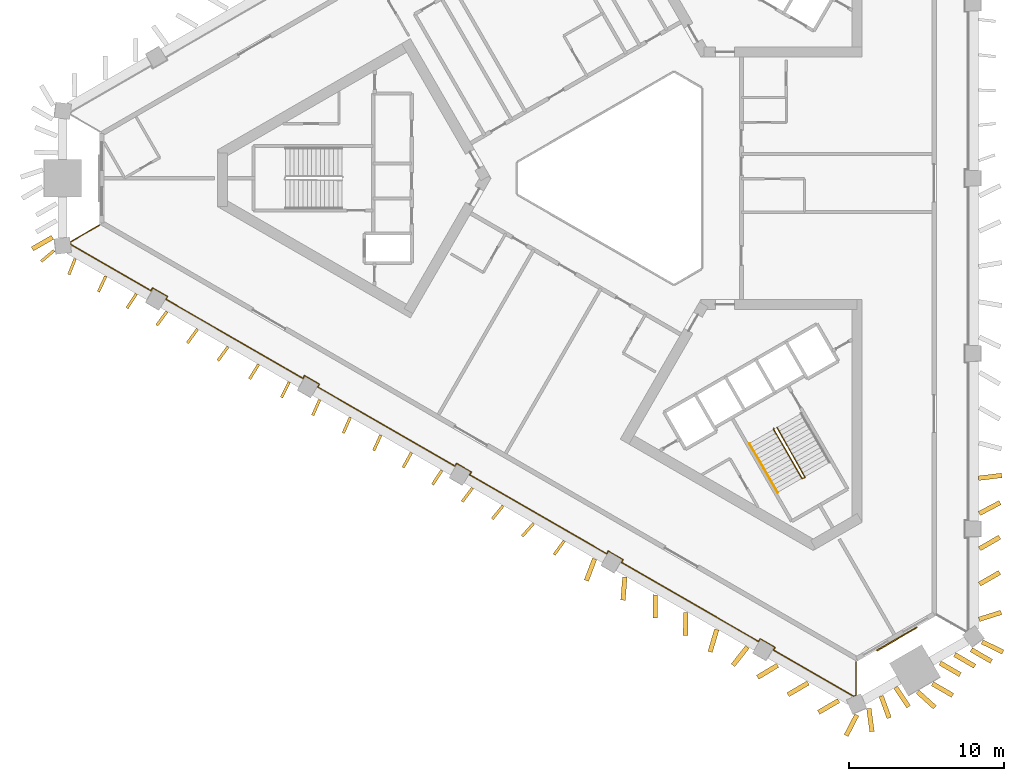
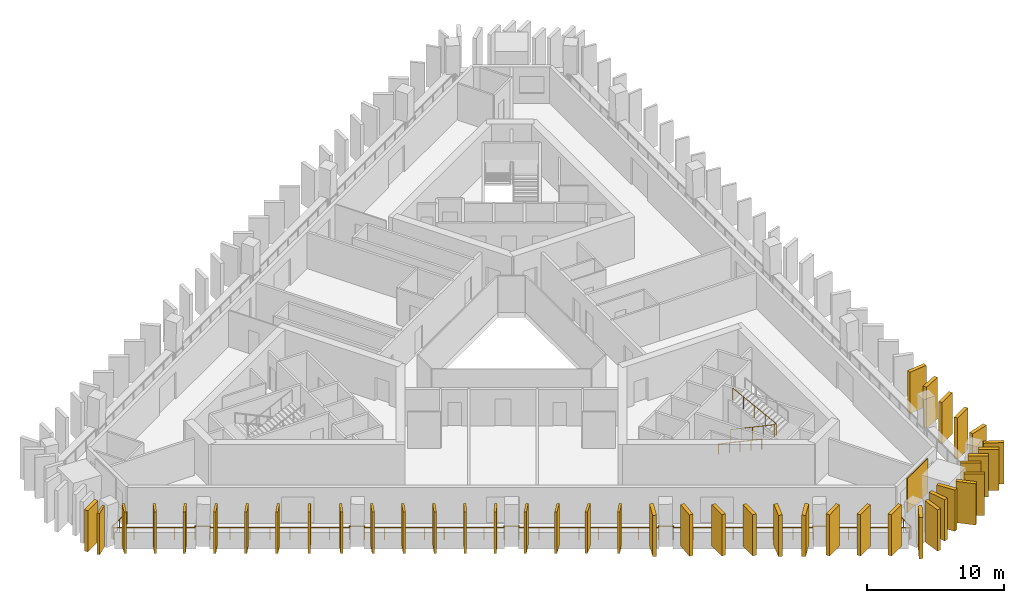
# One storey, part 7 of 9: 43 shading devices, 3 railings, 1 covering.
"""IFC4 building model written with IfcOpenShell, lengths in metres."""

from ifc_helpers import new_model, si_unit, direction, frame, frame_2d, origin, origin_2d, place, context, subcontext, project, spatial, rectangle, circle, extrude, material, layer, layer_set, type_object, element, save


model = new_model("IFC4")

# Units and contexts
model_context = context("Model", 3, precision=1e-05, world=origin(), true_north=direction((0.0, 1.0)))
body_context = subcontext(model_context, "Body", "Model", "MODEL_VIEW")
ifc_project = project(units=[si_unit("LENGTHUNIT", "METRE"), si_unit("AREAUNIT", "SQUARE_METRE"), si_unit("VOLUMEUNIT", "CUBIC_METRE"), si_unit("PLANEANGLEUNIT", "RADIAN"), si_unit("MASSUNIT", "GRAM", prefix="KILO")], contexts=[model_context])

# Site, building, storey
site_placement = place(None, origin())
site = spatial("IfcSite", under=ifc_project, at=site_placement, CompositionType="ELEMENT")
building_placement = place(site_placement, origin())
building = spatial("IfcBuilding", under=site, at=building_placement, Name="Jabali Bay Hotel Tower and Convention Centre", CompositionType="ELEMENT")
storey_placement = place(building_placement, frame((0.0, 0.0, 129.0)))
storey = spatial("IfcBuildingStorey", under=building, at=storey_placement, Name="L31", CompositionType="ELEMENT", Elevation=129.0)

# Railing
ifc_material_1 = material(Name="Glass", Category="glass")
railing_type_1 = type_object("IfcRailingType", Name="Loggia glass guard 1100", PredefinedType="BALUSTRADE", material=ifc_material_1)
railing_1_placement = place(storey_placement, frame((89.482177734375, 48.8896484375, 0.0)))
element("IfcRailing", 1, at=railing_1_placement, inside=storey, type_object=railing_type_1, Name="Loggia glass guard L31", PredefinedType="BALUSTRADE", context=body_context, shape_type="SweptSolid", body=[
    extrude(circle(Radius=0.02490234375, at=origin_2d()), frame((0.0, 0.0, 1.0751953125), z_axis=(0.0, -1.0, 0.0), x_axis=(0.991444861374, 0.0, 0.13052619222)), (0.0, 0.0, 1.0), 2.165283203125),
    extrude(circle(Radius=0.02490234375, at=origin_2d()), frame((0.0, -2.165283203125, 1.0751953125), z_axis=(-0.918657809016, -0.395054211386, 0.0), x_axis=(0.391674467843, -0.91079856411, 0.13052619222)), (0.0, 0.0, 1.0), 0.15576171875),
    extrude(circle(Radius=0.02490234375, at=origin_2d()), frame((-0.14306640625, -2.226806640625, 1.0751953125), z_axis=(-0.866016638956, 0.50001518082, 0.0), x_axis=(-0.495737481633, -0.858607746558, 0.13052619222)), (0.0, 0.0, 1.0), 5.968017578125),
    extrude(circle(Radius=0.02490234375, at=origin_2d()), frame((-5.3115234375, 0.75732421875, 1.0751953125), z_axis=(0.499687197852, 0.866205924883, 0.0), x_axis=(-0.858795413117, 0.495412304605, 0.13052619222)), (0.0, 0.0, 1.0), 0.199951171875),
    extrude(circle(Radius=0.02490234375, at=origin_2d()), frame((-5.211669921875, 0.930419921875, 1.0751953125), z_axis=(-0.866008176907, 0.50002983664, 0.0), x_axis=(-0.495752012071, -0.858599356902, 0.13052619222)), (0.0, 0.0, 1.0), 1.10009765625),
    extrude(circle(Radius=0.02490234375, at=origin_2d()), frame((-6.164306640625, 1.48046875, 1.0751953125), z_axis=(-0.499158860599, -0.866510491504, 0.0), x_axis=(0.859097374128, -0.49488848735, 0.13052619222)), (0.0, 0.0, 1.0), 0.199951171875),
    extrude(circle(Radius=0.02490234375, at=origin_2d()), frame((-6.26416015625, 1.30712890625, 1.0751953125), z_axis=(-0.866018717003, 0.500011581666, 0.0), x_axis=(-0.49573391327, -0.858609806827, 0.13052619222)), (0.0, 0.0, 1.0), 10.184326171875),
    extrude(circle(Radius=0.02490234375, at=origin_2d()), frame((-15.083984375, 6.3994140625, 1.0751953125), z_axis=(0.499687197852, 0.866205924883, 0.0), x_axis=(-0.858795413117, 0.495412304605, 0.13052619222)), (0.0, 0.0, 1.0), 0.199951171875),
    extrude(circle(Radius=0.02490234375, at=origin_2d()), frame((-14.984130859375, 6.572509765625, 1.0751953125), z_axis=(-0.866008176907, 0.50002983664, 0.0), x_axis=(-0.495752012071, -0.858599356902, 0.13052619222)), (0.0, 0.0, 1.0), 1.10009765625),
    extrude(circle(Radius=0.02490234375, at=origin_2d()), frame((-15.936767578125, 7.12255859375, 1.0751953125), z_axis=(-0.499687197852, -0.866205924883, 0.0), x_axis=(0.858795413117, -0.495412304605, 0.13052619222)), (0.0, 0.0, 1.0), 0.199951171875),
    extrude(circle(Radius=0.02490234375, at=origin_2d()), frame((-16.03662109375, 6.949462890625, 1.0751953125), z_axis=(-0.866029097357, 0.49999360249, 0.0), x_axis=(-0.495716087909, -0.858620098375, 0.13052619222)), (0.0, 0.0, 1.0), 10.184326171875),
    extrude(circle(Radius=0.02490234375, at=origin_2d()), frame((-24.8564453125, 12.04150390625, 1.0751953125), z_axis=(0.499687197852, 0.866205924883, 0.0), x_axis=(-0.858795413117, 0.495412304605, 0.13052619222)), (0.0, 0.0, 1.0), 0.199951171875),
    extrude(circle(Radius=0.02490234375, at=origin_2d()), frame((-24.756591796875, 12.214599609375, 1.0751953125), z_axis=(-0.866008176907, 0.50002983664, 0.0), x_axis=(-0.495752012071, -0.858599356902, 0.13052619222)), (0.0, 0.0, 1.0), 1.10009765625),
    extrude(circle(Radius=0.02490234375, at=origin_2d()), frame((-25.709228515625, 12.7646484375, 1.0751953125), z_axis=(-0.499687197852, -0.866205924883, 0.0), x_axis=(0.858795413117, -0.495412304605, 0.13052619222)), (0.0, 0.0, 1.0), 0.199951171875),
    extrude(circle(Radius=0.02490234375, at=origin_2d()), frame((-25.80908203125, 12.591552734375, 1.0751953125), z_axis=(-0.866029097357, 0.49999360249, 0.0), x_axis=(-0.495716087909, -0.858620098375, 0.13052619222)), (0.0, 0.0, 1.0), 10.184326171875),
    extrude(circle(Radius=0.02490234375, at=origin_2d()), frame((-34.62890625, 17.68359375, 1.0751953125), z_axis=(0.499687197852, 0.866205924883, 0.0), x_axis=(-0.858795413117, 0.495412304605, 0.13052619222)), (0.0, 0.0, 1.0), 0.199951171875),
    extrude(circle(Radius=0.02490234375, at=origin_2d()), frame((-34.529052734375, 17.856689453125, 1.0751953125), z_axis=(-0.866008176907, 0.50002983664, 0.0), x_axis=(-0.495752012071, -0.858599356902, 0.13052619222)), (0.0, 0.0, 1.0), 1.10009765625),
    extrude(circle(Radius=0.02490234375, at=origin_2d()), frame((-35.481689453125, 18.40673828125, 1.0751953125), z_axis=(-0.499687197852, -0.866205924883, 0.0), x_axis=(0.858795413117, -0.495412304605, 0.13052619222)), (0.0, 0.0, 1.0), 0.199951171875),
    extrude(circle(Radius=0.02490234375, at=origin_2d()), frame((-35.58154296875, 18.233642578125, 1.0751953125), z_axis=(-0.866029097357, 0.49999360249, 0.0), x_axis=(-0.495716087909, -0.858620098375, 0.13052619222)), (0.0, 0.0, 1.0), 10.184326171875),
    extrude(circle(Radius=0.02490234375, at=origin_2d()), frame((-44.4013671875, 23.32568359375, 1.0751953125), z_axis=(0.499158860599, 0.866510491504, 0.0), x_axis=(-0.859097374128, 0.49488848735, 0.13052619222)), (0.0, 0.0, 1.0), 0.199951171875),
    extrude(circle(Radius=0.02490234375, at=origin_2d()), frame((-44.301513671875, 23.4990234375, 1.0751953125), z_axis=(-0.866104278045, 0.499863360881, 0.0), x_axis=(-0.495586960535, -0.858694635882, 0.13052619222)), (0.0, 0.0, 1.0), 1.099853515625),
    extrude(circle(Radius=0.02490234375, at=origin_2d()), frame((-45.254150390625, 24.048828125, 1.0751953125), z_axis=(-0.499687197852, -0.866205924883, 0.0), x_axis=(0.858795413117, -0.495412304605, 0.13052619222)), (0.0, 0.0, 1.0), 0.199951171875),
    extrude(circle(Radius=0.02490234375, at=origin_2d()), frame((-45.35400390625, 23.875732421875, 1.0751953125), z_axis=(-0.8660343527, 0.499984499703, 0.0), x_axis=(-0.495707062997, -0.858625308758, 0.13052619222)), (0.0, 0.0, 1.0), 5.968017578125),
    extrude(circle(Radius=0.02490234375, at=origin_2d()), frame((-50.5224609375, 26.859619140625, 1.0751953125), z_axis=(-0.117477392411, 0.993075557182, 0.0), x_axis=(-0.984579658124, -0.116472357034, 0.13052619222)), (0.0, 0.0, 1.0), 0.15576171875),
    extrude(circle(Radius=0.02490234375, at=origin_2d()), frame((-50.540771484375, 27.014404296875, 1.0751953125), z_axis=(0.866007213464, 0.500031505235, 0.0), x_axis=(-0.495753666391, 0.858598401702, 0.13052619222)), (0.0, 0.0, 1.0), 2.165283203125),
    extrude(circle(Radius=0.02001953125, at=origin_2d()), origin(), (0.0, 0.0, 1.0), 1.050048828125),
    extrude(circle(Radius=0.02001953125, at=origin_2d()), frame((0.0, -1.08251953125, 0.0)), (0.0, 0.0, 1.0), 1.050048828125),
    extrude(circle(Radius=0.02001953125, at=origin_2d()), frame((0.0, -2.165283203125, 0.0)), (0.0, 0.0, 1.0), 1.050048828125),
    extrude(circle(Radius=0.02001953125, at=origin_2d()), frame((-0.14306640625, -2.226806640625, 0.0)), (0.0, 0.0, 1.0), 1.050048828125),
    extrude(circle(Radius=0.02001953125, at=origin_2d()), frame((-1.43505859375, -1.480712890625, 0.0)), (0.0, 0.0, 1.0), 1.050048828125),
    extrude(circle(Radius=0.02001953125, at=origin_2d()), frame((-2.727294921875, -0.73486328125, 0.0)), (0.0, 0.0, 1.0), 1.050048828125),
    extrude(circle(Radius=0.02001953125, at=origin_2d()), frame((-4.01953125, 0.01123046875, 0.0)), (0.0, 0.0, 1.0), 1.050048828125),
    extrude(circle(Radius=0.02001953125, at=origin_2d()), frame((-5.3115234375, 0.75732421875, 0.0)), (0.0, 0.0, 1.0), 1.050048828125),
    extrude(circle(Radius=0.02001953125, at=origin_2d()), frame((-5.211669921875, 0.930419921875, 0.0)), (0.0, 0.0, 1.0), 1.050048828125),
    extrude(circle(Radius=0.02001953125, at=origin_2d()), frame((-6.164306640625, 1.48046875, 0.0)), (0.0, 0.0, 1.0), 1.050048828125),
    extrude(circle(Radius=0.02001953125, at=origin_2d()), frame((-6.26416015625, 1.30712890625, 0.0)), (0.0, 0.0, 1.0), 1.050048828125),
    extrude(circle(Radius=0.02001953125, at=origin_2d()), frame((-7.524169921875, 2.03466796875, 0.0)), (0.0, 0.0, 1.0), 1.050048828125),
    extrude(circle(Radius=0.02001953125, at=origin_2d()), frame((-8.7841796875, 2.761962890625, 0.0)), (0.0, 0.0, 1.0), 1.050048828125),
    extrude(circle(Radius=0.02001953125, at=origin_2d()), frame((-10.044189453125, 3.489501953125, 0.0)), (0.0, 0.0, 1.0), 1.050048828125),
    extrude(circle(Radius=0.02001953125, at=origin_2d()), frame((-11.303955078125, 4.217041015625, 0.0)), (0.0, 0.0, 1.0), 1.050048828125),
    extrude(circle(Radius=0.02001953125, at=origin_2d()), frame((-12.56396484375, 4.944580078125, 0.0)), (0.0, 0.0, 1.0), 1.050048828125),
    extrude(circle(Radius=0.02001953125, at=origin_2d()), frame((-13.823974609375, 5.671875, 0.0)), (0.0, 0.0, 1.0), 1.050048828125),
    extrude(circle(Radius=0.02001953125, at=origin_2d()), frame((-15.083984375, 6.3994140625, 0.0)), (0.0, 0.0, 1.0), 1.050048828125),
    extrude(circle(Radius=0.02001953125, at=origin_2d()), frame((-14.984130859375, 6.572509765625, 0.0)), (0.0, 0.0, 1.0), 1.050048828125),
    extrude(circle(Radius=0.02001953125, at=origin_2d()), frame((-15.936767578125, 7.12255859375, 0.0)), (0.0, 0.0, 1.0), 1.050048828125),
    extrude(circle(Radius=0.02001953125, at=origin_2d()), frame((-16.03662109375, 6.949462890625, 0.0)), (0.0, 0.0, 1.0), 1.050048828125),
    extrude(circle(Radius=0.02001953125, at=origin_2d()), frame((-17.296630859375, 7.677001953125, 0.0)), (0.0, 0.0, 1.0), 1.050048828125),
    extrude(circle(Radius=0.02001953125, at=origin_2d()), frame((-18.556640625, 8.404296875, 0.0)), (0.0, 0.0, 1.0), 1.050048828125),
    extrude(circle(Radius=0.02001953125, at=origin_2d()), frame((-19.816650390625, 9.1318359375, 0.0)), (0.0, 0.0, 1.0), 1.050048828125),
    extrude(circle(Radius=0.02001953125, at=origin_2d()), frame((-21.076416015625, 9.859130859375, 0.0)), (0.0, 0.0, 1.0), 1.050048828125),
    extrude(circle(Radius=0.02001953125, at=origin_2d()), frame((-22.33642578125, 10.586669921875, 0.0)), (0.0, 0.0, 1.0), 1.050048828125),
    extrude(circle(Radius=0.02001953125, at=origin_2d()), frame((-23.596435546875, 11.31396484375, 0.0)), (0.0, 0.0, 1.0), 1.050048828125),
    extrude(circle(Radius=0.02001953125, at=origin_2d()), frame((-24.8564453125, 12.04150390625, 0.0)), (0.0, 0.0, 1.0), 1.050048828125),
    extrude(circle(Radius=0.02001953125, at=origin_2d()), frame((-24.756591796875, 12.214599609375, 0.0)), (0.0, 0.0, 1.0), 1.050048828125),
    extrude(circle(Radius=0.02001953125, at=origin_2d()), frame((-25.709228515625, 12.7646484375, 0.0)), (0.0, 0.0, 1.0), 1.050048828125),
    extrude(circle(Radius=0.02001953125, at=origin_2d()), frame((-25.80908203125, 12.591552734375, 0.0)), (0.0, 0.0, 1.0), 1.050048828125),
    extrude(circle(Radius=0.02001953125, at=origin_2d()), frame((-27.069091796875, 13.319091796875, 0.0)), (0.0, 0.0, 1.0), 1.050048828125),
    extrude(circle(Radius=0.02001953125, at=origin_2d()), frame((-28.3291015625, 14.04638671875, 0.0)), (0.0, 0.0, 1.0), 1.050048828125),
    extrude(circle(Radius=0.02001953125, at=origin_2d()), frame((-29.589111328125, 14.77392578125, 0.0)), (0.0, 0.0, 1.0), 1.050048828125),
    extrude(circle(Radius=0.02001953125, at=origin_2d()), frame((-30.848876953125, 15.501220703125, 0.0)), (0.0, 0.0, 1.0), 1.050048828125),
    extrude(circle(Radius=0.02001953125, at=origin_2d()), frame((-32.10888671875, 16.228759765625, 0.0)), (0.0, 0.0, 1.0), 1.050048828125),
    extrude(circle(Radius=0.02001953125, at=origin_2d()), frame((-33.368896484375, 16.9560546875, 0.0)), (0.0, 0.0, 1.0), 1.050048828125),
    extrude(circle(Radius=0.02001953125, at=origin_2d()), frame((-34.62890625, 17.68359375, 0.0)), (0.0, 0.0, 1.0), 1.050048828125),
    extrude(circle(Radius=0.02001953125, at=origin_2d()), frame((-34.529052734375, 17.856689453125, 0.0)), (0.0, 0.0, 1.0), 1.050048828125),
    extrude(circle(Radius=0.02001953125, at=origin_2d()), frame((-35.481689453125, 18.40673828125, 0.0)), (0.0, 0.0, 1.0), 1.050048828125),
    extrude(circle(Radius=0.02001953125, at=origin_2d()), frame((-35.58154296875, 18.233642578125, 0.0)), (0.0, 0.0, 1.0), 1.050048828125),
    extrude(circle(Radius=0.02001953125, at=origin_2d()), frame((-36.841552734375, 18.961181640625, 0.0)), (0.0, 0.0, 1.0), 1.050048828125),
    extrude(circle(Radius=0.02001953125, at=origin_2d()), frame((-38.1015625, 19.6884765625, 0.0)), (0.0, 0.0, 1.0), 1.050048828125),
    extrude(circle(Radius=0.02001953125, at=origin_2d()), frame((-39.361572265625, 20.416015625, 0.0)), (0.0, 0.0, 1.0), 1.050048828125),
    extrude(circle(Radius=0.02001953125, at=origin_2d()), frame((-40.621337890625, 21.143310546875, 0.0)), (0.0, 0.0, 1.0), 1.050048828125),
    extrude(circle(Radius=0.02001953125, at=origin_2d()), frame((-41.88134765625, 21.870849609375, 0.0)), (0.0, 0.0, 1.0), 1.050048828125),
    extrude(circle(Radius=0.02001953125, at=origin_2d()), frame((-43.141357421875, 22.59814453125, 0.0)), (0.0, 0.0, 1.0), 1.050048828125),
    extrude(circle(Radius=0.02001953125, at=origin_2d()), frame((-44.4013671875, 23.32568359375, 0.0)), (0.0, 0.0, 1.0), 1.050048828125),
    extrude(circle(Radius=0.02001953125, at=origin_2d()), frame((-44.301513671875, 23.4990234375, 0.0)), (0.0, 0.0, 1.0), 1.050048828125),
    extrude(circle(Radius=0.02001953125, at=origin_2d()), frame((-45.254150390625, 24.048828125, 0.0)), (0.0, 0.0, 1.0), 1.050048828125),
    extrude(circle(Radius=0.02001953125, at=origin_2d()), frame((-45.35400390625, 23.875732421875, 0.0)), (0.0, 0.0, 1.0), 1.050048828125),
    extrude(circle(Radius=0.02001953125, at=origin_2d()), frame((-46.64599609375, 24.62158203125, 0.0)), (0.0, 0.0, 1.0), 1.050048828125),
    extrude(circle(Radius=0.02001953125, at=origin_2d()), frame((-47.938232421875, 25.36767578125, 0.0)), (0.0, 0.0, 1.0), 1.050048828125),
    extrude(circle(Radius=0.02001953125, at=origin_2d()), frame((-49.23046875, 26.11376953125, 0.0)), (0.0, 0.0, 1.0), 1.050048828125),
    extrude(circle(Radius=0.02001953125, at=origin_2d()), frame((-50.5224609375, 26.859619140625, 0.0)), (0.0, 0.0, 1.0), 1.050048828125),
    extrude(circle(Radius=0.02001953125, at=origin_2d()), frame((-50.540771484375, 27.014404296875, 0.0)), (0.0, 0.0, 1.0), 1.050048828125),
    extrude(circle(Radius=0.02001953125, at=origin_2d()), frame((-49.60302734375, 27.5556640625, 0.0)), (0.0, 0.0, 1.0), 1.050048828125),
    extrude(circle(Radius=0.02001953125, at=origin_2d()), frame((-48.66552734375, 28.09716796875, 0.0)), (0.0, 0.0, 1.0), 1.050048828125),
])

# Shading devices
ifc_material_2 = material(Name="Precast concrete C60", Category="concrete")
ifc_layer_1 = layer(ifc_material_2, 0.179931640625)
ifc_layer_set_1 = layer_set([ifc_layer_1], Name="Precast concrete C60")
shading_device_type_1 = type_object("IfcShadingDeviceType", Name="Precast fin 3680 x 1100", PredefinedType="USERDEFINED", material=ifc_layer_set_1)
for number, where, z_axis, x_axis, name in (
    (2, (39.24658203125, 74.826416015625, 0.010009765625), (0.0, 0.0, 1.0), (-0.364876298931, -0.931056006091, 0.0), "Fin L31 068"),
    (3, (41.215576171875, 73.696533203125, 0.010009765625), (0.0, 0.0, 1.0), (-0.426139043855, -0.904657678518, 0.0), "Fin L31 069"),
):
    element("IfcShadingDevice", number, at=place(storey_placement, frame(where, z_axis=z_axis, x_axis=x_axis)), inside=storey, type_object=shading_device_type_1, Name=name, ObjectType="FIN", PredefinedType="USERDEFINED", context=body_context, shape_type="SweptSolid", body=[
        extrude(rectangle(XDim=1.10009765625, YDim=0.179931640625, at=frame_2d((0.550048828125, 0.0))), origin(), (0.0, 0.0, 1.0), 3.679931640625),
    ])
shading_device_1_placement = place(storey_placement, frame((43.182861328125, 72.5634765625, 0.010009765625), z_axis=(0.0, 0.0, 1.0), x_axis=(-0.548229730947, -0.83632778389, 0.0)))
element("IfcShadingDevice", 4, at=shading_device_1_placement, inside=storey, type_object=shading_device_type_1, Name="Fin L31 070", ObjectType="FIN", PredefinedType="USERDEFINED", context=body_context, shape_type="SweptSolid", body=[
    extrude(rectangle(XDim=1.099853515625, YDim=0.179931640625, at=frame_2d((0.5498046875, 0.0))), origin(), (0.0, 0.0, 1.0), 3.679931640625),
])
shading_device_2_placement = place(storey_placement, frame((45.146484375, 71.424560546875, 0.010009765625), z_axis=(0.0, 0.0, 1.0), x_axis=(-0.589688235553, -0.80763097071, 0.0)))
element("IfcShadingDevice", 5, at=shading_device_2_placement, inside=storey, type_object=shading_device_type_1, Name="Fin L31 071", ObjectType="FIN", PredefinedType="USERDEFINED", context=body_context, shape_type="SweptSolid", body=[
    extrude(rectangle(XDim=1.10009765625, YDim=0.179931640625, at=frame_2d((0.550048828125, 0.0))), origin(), (0.0, 0.0, 1.0), 3.679931640625),
])
shading_device_3_placement = place(storey_placement, frame((47.112548828125, 70.28955078125, 0.010009765625), z_axis=(0.0, 0.0, 1.0), x_axis=(-0.588646717653, -0.808390401845, 0.0)))
element("IfcShadingDevice", 6, at=shading_device_3_placement, inside=storey, type_object=shading_device_type_1, Name="Fin L31 072", ObjectType="FIN", PredefinedType="USERDEFINED", context=body_context, shape_type="SweptSolid", body=[
    extrude(rectangle(XDim=1.099853515625, YDim=0.179931640625, at=frame_2d((0.5498046875, 0.0))), origin(), (0.0, 0.0, 1.0), 3.679931640625),
])
for number, where, z_axis, x_axis, name in (
    (7, (49.07861328125, 69.154541015625, 0.010009765625), (0.0, 0.0, 1.0), (-0.588145304304, -0.808755278824, 0.0), "Fin L31 073"),
    (8, (51.0478515625, 68.025146484375, 0.010009765625), (0.0, 0.0, 1.0), (-0.528621817325, -0.848857452254, 0.0), "Fin L31 074"),
):
    element("IfcShadingDevice", number, at=place(storey_placement, frame(where, z_axis=z_axis, x_axis=x_axis)), inside=storey, type_object=shading_device_type_1, Name=name, ObjectType="FIN", PredefinedType="USERDEFINED", context=body_context, shape_type="SweptSolid", body=[
        extrude(rectangle(XDim=1.10009765625, YDim=0.179931640625, at=frame_2d((0.550048828125, 0.0))), origin(), (0.0, 0.0, 1.0), 3.679931640625),
    ])
for number, where, z_axis, x_axis, name in (
    (9, (53.01220703125, 66.887451171875, 0.010009765625), (0.0, 0.0, 1.0), (-0.442590842644, -0.896723673161, 0.0), "Fin L31 075"),
    (10, (54.9765625, 65.749267578125, 0.010009765625), (0.0, 0.0, 1.0), (-0.406632670459, -0.913591742145, 0.0), "Fin L31 076"),
    (11, (56.9423828125, 64.6142578125, 0.010009765625), (0.0, 0.0, 1.0), (-0.40617965337, -0.913793242035, 0.0), "Fin L31 077"),
    (12, (58.908935546875, 63.47998046875, 0.010009765625), (0.0, 0.0, 1.0), (-0.415056752097, -0.909795522378, 0.0), "Fin L31 078"),
):
    element("IfcShadingDevice", number, at=place(storey_placement, frame(where, z_axis=z_axis, x_axis=x_axis)), inside=storey, type_object=shading_device_type_1, Name=name, ObjectType="FIN", PredefinedType="USERDEFINED", context=body_context, shape_type="SweptSolid", body=[
        extrude(rectangle(XDim=1.099853515625, YDim=0.179931640625, at=frame_2d((0.5498046875, 0.0))), origin(), (0.0, 0.0, 1.0), 3.679931640625),
    ])
for number, where, z_axis, x_axis, name in (
    (13, (60.878173828125, 62.350830078125, 0.010009765625), (0.0, 0.0, 1.0), (-0.481586460211, -0.876398585885, 0.0), "Fin L31 079"),
    (14, (62.842529296875, 61.212890625, 0.010009765625), (0.0, 0.0, 1.0), (-0.54905388345, -0.835786954354, 0.0), "Fin L31 080"),
    (15, (64.8056640625, 60.07275390625, 0.010009765625), (0.0, 0.0, 1.0), (-0.60166765071, -0.798746541832, 0.0), "Fin L31 081"),
    (16, (66.770263671875, 58.935302734375, 0.010009765625), (0.0, 0.0, 1.0), (-0.627127645055, -0.77891650182, 0.0), "Fin L31 082"),
    (17, (68.734375, 57.796875, 0.010009765625), (0.0, 0.0, 1.0), (-0.659321195808, -0.751861397306, 0.0), "Fin L31 083"),
):
    element("IfcShadingDevice", number, at=place(storey_placement, frame(where, z_axis=z_axis, x_axis=x_axis)), inside=storey, type_object=shading_device_type_1, Name=name, ObjectType="FIN", PredefinedType="USERDEFINED", context=body_context, shape_type="SweptSolid", body=[
        extrude(rectangle(XDim=1.10009765625, YDim=0.179931640625, at=frame_2d((0.550048828125, 0.0))), origin(), (0.0, 0.0, 1.0), 3.679931640625),
    ])
for number, where, z_axis, x_axis, name in (
    (18, (70.704345703125, 56.6689453125, 0.010009765625), (0.0, 0.0, 1.0), (-0.587749294152, -0.809043118272, 0.0), "Fin L31 084"),
    (19, (37.898681640625, 75.35986328125, 0.010009765625), (0.0, 0.0, 1.0), (-0.762256883349, -0.647274627795, 0.0), "Fin L31 106"),
):
    element("IfcShadingDevice", number, at=place(storey_placement, frame(where, z_axis=z_axis, x_axis=x_axis)), inside=storey, type_object=shading_device_type_1, Name=name, ObjectType="FIN", PredefinedType="USERDEFINED", context=body_context, shape_type="SweptSolid", body=[
        extrude(rectangle(XDim=1.099853515625, YDim=0.179931640625, at=frame_2d((0.5498046875, 0.0))), origin(), (0.0, 0.0, 1.0), 3.679931640625),
    ])
ifc_layer_2 = layer(ifc_material_2, 0.300048828125)
ifc_layer_set_2 = layer_set([ifc_layer_2], Name="Precast concrete C60")
shading_device_type_2 = type_object("IfcShadingDeviceType", Name="Precast fin 3680 x 1500", PredefinedType="USERDEFINED", material=ifc_layer_set_2)
for number, where, z_axis, x_axis, name in (
    (20, (97.388671875, 51.62353515625, 0.010009765625), (0.0, 0.0, 1.0), (0.954102725155, 0.299479531608, 0.0), "Fin L31 000"),
    (21, (97.41845703125, 53.8935546875, 0.010009765625), (0.0, 0.0, 1.0), (0.867159382876, 0.498030726652, 0.0), "Fin L31 001"),
    (22, (97.41845703125, 56.163818359375, 0.010009765625), (0.0, 0.0, 1.0), (0.867159382876, 0.498030726652, 0.0), "Fin L31 002"),
    (23, (97.413818359375, 58.433837890625, 0.010009765625), (0.0, 0.0, 1.0), (0.884345554547, 0.466832882467, 0.0), "Fin L31 003"),
):
    element("IfcShadingDevice", number, at=place(storey_placement, frame(where, z_axis=z_axis, x_axis=x_axis)), inside=storey, type_object=shading_device_type_2, Name=name, ObjectType="FIN", PredefinedType="USERDEFINED", context=body_context, shape_type="SweptSolid", body=[
        extrude(rectangle(XDim=1.5, YDim=0.300048828125, at=frame_2d((0.75, 0.0))), origin(), (0.0, 0.0, 1.0), 3.679931640625),
    ])
shading_device_4_placement = place(storey_placement, frame((97.36181640625, 60.7041015625, 0.010009765625), z_axis=(0.0, 0.0, 1.0), x_axis=(0.992758508576, 0.120127197791, 0.0)))
element("IfcShadingDevice", 24, at=shading_device_4_placement, inside=storey, type_object=shading_device_type_2, Name="Fin L31 004", ObjectType="FIN", PredefinedType="USERDEFINED", context=body_context, shape_type="SweptSolid", body=[
    extrude(rectangle(XDim=1.499755859375, YDim=0.300048828125, at=frame_2d((0.75, 0.0))), origin(), (0.0, 0.0, 1.0), 3.679931640625),
])
for number, where, z_axis, x_axis, name in (
    (25, (37.789794921875, 76.201416015625, 0.010009765625), (0.0, 0.0, 1.0), (-0.867159382876, -0.498030726652, 0.0), "Fin L31 067"),
    (26, (72.662841796875, 55.520751953125, 0.010009765625), (0.0, 0.0, 1.0), (-0.351551473659, -0.93616855393, 0.0), "Fin L31 085"),
    (27, (74.60888671875, 54.35107421875, 0.010009765625), (0.0, 0.0, 1.0), (-0.079758161208, -0.996814243338, 0.0), "Fin L31 086"),
):
    element("IfcShadingDevice", number, at=place(storey_placement, frame(where, z_axis=z_axis, x_axis=x_axis)), inside=storey, type_object=shading_device_type_2, Name=name, ObjectType="FIN", PredefinedType="USERDEFINED", context=body_context, shape_type="SweptSolid", body=[
        extrude(rectangle(XDim=1.5, YDim=0.300048828125, at=frame_2d((0.75, 0.0))), origin(), (0.0, 0.0, 1.0), 3.679931640625),
    ])
for number, where, z_axis, x_axis, name in (
    (28, (76.56982421875, 53.20751953125, 0.010009765625), (0.0, 0.0, 1.0), (-0.0058602282, -0.999982828715, 0.0), "Fin L31 087"),
    (29, (78.536865234375, 52.07421875, 0.010009765625), (0.0, 0.0, 1.0), (-0.021323707869, -0.999772623891, 0.0), "Fin L31 088"),
):
    element("IfcShadingDevice", number, at=place(storey_placement, frame(where, z_axis=z_axis, x_axis=x_axis)), inside=storey, type_object=shading_device_type_2, Name=name, ObjectType="FIN", PredefinedType="USERDEFINED", context=body_context, shape_type="SweptSolid", body=[
        extrude(rectangle(XDim=1.499755859375, YDim=0.300048828125, at=frame_2d((0.75, 0.0))), origin(), (0.0, 0.0, 1.0), 3.679931640625),
    ])
for number, where, z_axis, x_axis, name in (
    (30, (80.521484375, 50.9716796875, 0.010009765625), (0.0, 0.0, 1.0), (-0.284808608521, -0.958584402394, 0.0), "Fin L31 089"),
    (31, (82.494140625, 49.847900390625, 0.010009765625), (0.0, 0.0, 1.0), (-0.620398590279, -0.784286675381, 0.0), "Fin L31 090"),
    (32, (84.4345703125, 48.6689453125, 0.010009765625), (0.0, 0.0, 1.0), (-0.856428387714, -0.516265839192, 0.0), "Fin L31 091"),
    (33, (86.399658203125, 47.531982421875, 0.010009765625), (0.0, 0.0, 1.0), (-0.864898360543, -0.501947034986, 0.0), "Fin L31 092"),
    (34, (88.365478515625, 46.396728515625, 0.010009765625), (0.0, 0.0, 1.0), (-0.864969016582, -0.501825268747, 0.0), "Fin L31 093"),
    (35, (90.305908203125, 45.892333984375, 0.010009765625), (0.0, 0.0, 1.0), (0.135904843509, -0.99072189514, 0.0), "Fin L31 094"),
    (36, (91.098388671875, 46.690185546875, 0.010009765625), (0.0, 0.0, 1.0), (0.341651578309, -0.939826685639, 0.0), "Fin L31 095"),
    (37, (92.030029296875, 47.2470703125, 0.010009765625), (0.0, 0.0, 1.0), (0.555000634119, -0.831849924041, 0.0), "Fin L31 096"),
):
    element("IfcShadingDevice", number, at=place(storey_placement, frame(where, z_axis=z_axis, x_axis=x_axis)), inside=storey, type_object=shading_device_type_2, Name=name, ObjectType="FIN", PredefinedType="USERDEFINED", context=body_context, shape_type="SweptSolid", body=[
        extrude(rectangle(XDim=1.5, YDim=0.300048828125, at=frame_2d((0.75, 0.0))), origin(), (0.0, 0.0, 1.0), 3.679931640625),
    ])
shading_device_5_placement = place(storey_placement, frame((93.444091796875, 46.968505859375, 0.010009765625), z_axis=(0.0, 0.0, 1.0), x_axis=(0.739836968576, -0.672786191838, 0.0)))
element("IfcShadingDevice", 38, at=shading_device_5_placement, inside=storey, type_object=shading_device_type_2, Name="Fin L31 097", ObjectType="FIN", PredefinedType="USERDEFINED", context=body_context, shape_type="SweptSolid", body=[
    extrude(rectangle(XDim=1.500244140625, YDim=0.300048828125, at=frame_2d((0.75, 0.0))), origin(), (0.0, 0.0, 1.0), 3.679931640625),
])
for number, where, z_axis, x_axis, name in (
    (39, (94.398681640625, 47.48583984375, 0.010009765625), (0.0, 0.0, 1.0), (0.864898360543, -0.501947034986, 0.0), "Fin L31 098"),
    (40, (94.88232421875, 48.81884765625, 0.010009765625), (0.0, 0.0, 1.0), (0.864898360543, -0.501947034986, 0.0), "Fin L31 099"),
    (41, (95.822265625, 49.361328125, 0.010009765625), (0.0, 0.0, 1.0), (0.864898360543, -0.501947034986, 0.0), "Fin L31 100"),
    (42, (96.894775390625, 49.67431640625, 0.010009765625), (0.0, 0.0, 1.0), (0.864898360543, -0.501947034986, 0.0), "Fin L31 101"),
    (43, (97.58642578125, 50.179443359375, 0.010009765625), (0.0, 0.0, 1.0), (0.897562235754, -0.440887778179, 0.0), "Fin L31 102"),
    (44, (89.5322265625, 45.477294921875, 0.010009765625), (0.0, 0.0, 1.0), (-0.459476052239, -0.888190158366, 0.0), "Fin L31 107"),
):
    element("IfcShadingDevice", number, at=place(storey_placement, frame(where, z_axis=z_axis, x_axis=x_axis)), inside=storey, type_object=shading_device_type_2, Name=name, ObjectType="FIN", PredefinedType="USERDEFINED", context=body_context, shape_type="SweptSolid", body=[
        extrude(rectangle(XDim=1.5, YDim=0.300048828125, at=frame_2d((0.75, 0.0))), origin(), (0.0, 0.0, 1.0), 3.679931640625),
    ])

# Covering
ifc_material_3 = material(Name="Precast concrete C40/50", Category="concrete")
ifc_layer_3 = layer(ifc_material_3, 0.080078125)
ifc_layer_set_3 = layer_set([ifc_layer_3], Name="Precast concrete C40/50")
covering_type = type_object("IfcCoveringType", Name="Relief panel 3000 x 3050", PredefinedType="CLADDING", material=ifc_layer_set_3)
covering_placement = place(storey_placement, frame((92.11181640625, 50.361572265625, 0.10009765625), z_axis=(0.0, 0.0, 1.0), x_axis=(-0.866025434197, -0.499999947324, 0.0)))
element("IfcCovering", 45, at=covering_placement, inside=storey, type_object=covering_type, Name="Relief panel L31", PredefinedType="CLADDING", context=body_context, shape_type="SweptSolid", body=[
    extrude(rectangle(XDim=3.0, YDim=0.080078125, at=origin_2d()), origin(), (0.0, 0.0, 1.0), 3.050048828125),
])

# Railings
ifc_material_4 = material(Name="Steel Q355B", Category="steel")
railing_type_2 = type_object("IfcRailingType", Name="Stair guard 1100", PredefinedType="GUARDRAIL", material=ifc_material_4)
railing_2_placement = place(storey_placement, frame((84.199951171875, 63.9150390625, 0.0)))
element("IfcRailing", 46, at=railing_2_placement, inside=storey, type_object=railing_type_2, Name="L31 ST3 stair guard 1", PredefinedType="GUARDRAIL", context=body_context, shape_type="SweptSolid", body=[
    extrude(circle(Radius=0.02392578125, at=origin_2d()), frame((0.0, 0.0, 1.076171875), z_axis=(-0.122196845461, -0.456201556387, 0.881446578591), x_axis=(0.965948051503, -0.258736085224, 0.0)), (0.0, 0.0, 1.0), 0.14990234375),
    extrude(circle(Radius=0.02392578125, at=origin_2d()), frame((-0.018310546875, -0.068359375, 1.2080078125), z_axis=(0.45217862506, -0.783169739339, 0.426825081763), x_axis=(0.866018046521, 0.500012742938, 0.0)), (0.0, 0.0, 1.0), 4.025146484375),
    extrude(circle(Radius=0.02392578125, at=origin_2d()), frame((1.8017578125, -3.220703125, 2.92626953125), z_axis=(0.96121063429, 0.275815366736, 0.0), x_axis=(-0.275815366736, 0.96121063429, 0.0)), (0.0, 0.0, 1.0), 0.206298828125),
    extrude(circle(Radius=0.02392578125, at=origin_2d()), frame((2.0, -3.163818359375, 2.92626953125), z_axis=(-0.436481798955, 0.780166857725, 0.448133142368), x_axis=(-0.872702246529, -0.488252792008, 0.0)), (0.0, 0.0, 1.0), 4.1279296875),
    extrude(circle(Radius=0.02099609375, at=origin_2d()), origin(), (0.0, 0.0, 1.0), 1.052001953125),
    extrude(circle(Radius=0.02099609375, at=origin_2d()), frame((-0.018310546875, -0.068359375, 0.132080078125)), (0.0, 0.0, 1.0), 1.052001953125),
    extrude(circle(Radius=0.02099609375, at=origin_2d()), frame((0.436767578125, -0.8564453125, 0.5615234375)), (0.0, 0.0, 1.0), 1.052001953125),
    extrude(circle(Radius=0.02099609375, at=origin_2d()), frame((0.8916015625, -1.64453125, 0.9912109375)), (0.0, 0.0, 1.0), 1.052001953125),
    extrude(circle(Radius=0.02099609375, at=origin_2d()), frame((1.3466796875, -2.4326171875, 1.420654296875)), (0.0, 0.0, 1.0), 1.052001953125),
    extrude(circle(Radius=0.02099609375, at=origin_2d()), frame((1.8017578125, -3.220703125, 1.85009765625)), (0.0, 0.0, 1.0), 1.052001953125),
    extrude(circle(Radius=0.02099609375, at=origin_2d()), frame((2.0, -3.163818359375, 1.85009765625)), (0.0, 0.0, 1.0), 1.052001953125),
    extrude(circle(Radius=0.02099609375, at=origin_2d()), frame((1.549560546875, -2.358642578125, 2.3125)), (0.0, 0.0, 1.0), 1.052001953125),
    extrude(circle(Radius=0.02099609375, at=origin_2d()), frame((1.09912109375, -1.5537109375, 2.77490234375)), (0.0, 0.0, 1.0), 1.052001953125),
    extrude(circle(Radius=0.02099609375, at=origin_2d()), frame((0.648681640625, -0.74853515625, 3.237548828125)), (0.0, 0.0, 1.0), 1.052001953125),
    extrude(circle(Radius=0.02099609375, at=origin_2d()), frame((0.1982421875, 0.056640625, 3.699951171875)), (0.0, 0.0, 1.0), 1.052001953125),
])
railing_type_3 = type_object("IfcRailingType", Name="Stair handrail 900", PredefinedType="HANDRAIL", material=ifc_material_4)
railing_3_placement = place(storey_placement, frame((82.622802734375, 62.94677734375, 0.132080078125)))
element("IfcRailing", 47, at=railing_3_placement, inside=storey, type_object=railing_type_3, Name="L31 ST3 stair handrail 1", PredefinedType="HANDRAIL", context=body_context, shape_type="SweptSolid", body=[
    extrude(circle(Radius=0.02392578125, at=origin_2d()), frame((0.0, 0.0, 0.8759765625), z_axis=(0.45217862506, -0.783169739339, 0.426825081763), x_axis=(0.866018046521, 0.500012742938, 0.0)), (0.0, 0.0, 1.0), 4.025146484375),
    extrude(circle(Radius=0.02099609375, at=origin_2d()), origin(), (0.0, 0.0, 1.0), 0.851806640625),
    extrude(circle(Radius=0.02099609375, at=origin_2d()), frame((0.455078125, -0.7880859375, 0.429443359375)), (0.0, 0.0, 1.0), 0.851806640625),
    extrude(circle(Radius=0.02099609375, at=origin_2d()), frame((0.91015625, -1.576171875, 0.85888671875)), (0.0, 0.0, 1.0), 0.851806640625),
    extrude(circle(Radius=0.02099609375, at=origin_2d()), frame((1.364990234375, -2.3642578125, 1.28857421875)), (0.0, 0.0, 1.0), 0.851806640625),
    extrude(circle(Radius=0.02099609375, at=origin_2d()), frame((1.820068359375, -3.15234375, 1.718017578125)), (0.0, 0.0, 1.0), 0.851806640625),
])

save(model, "model.ifc")
